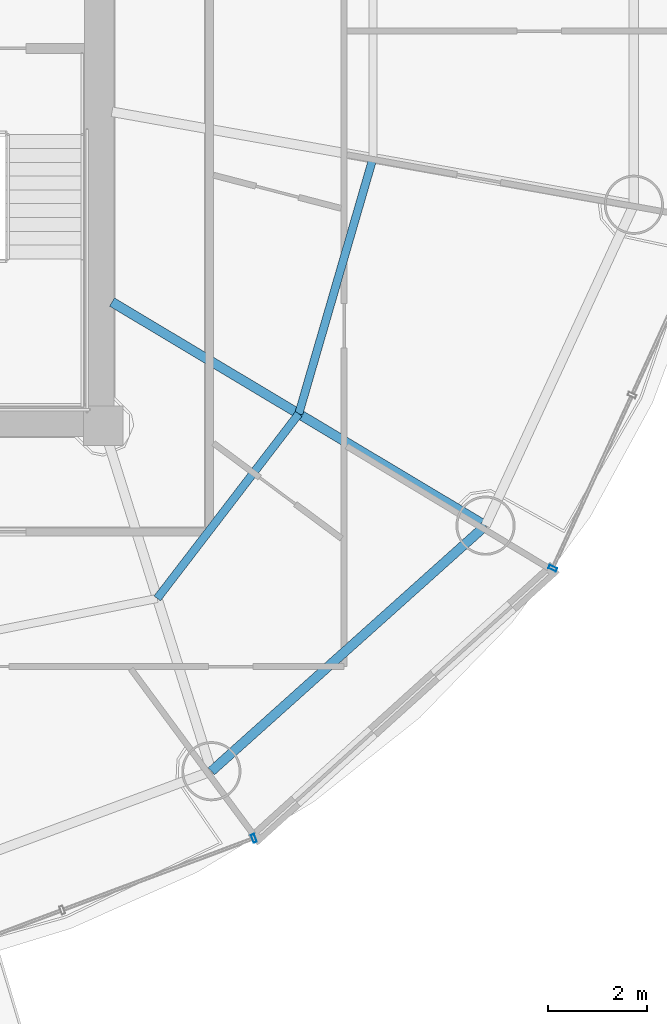
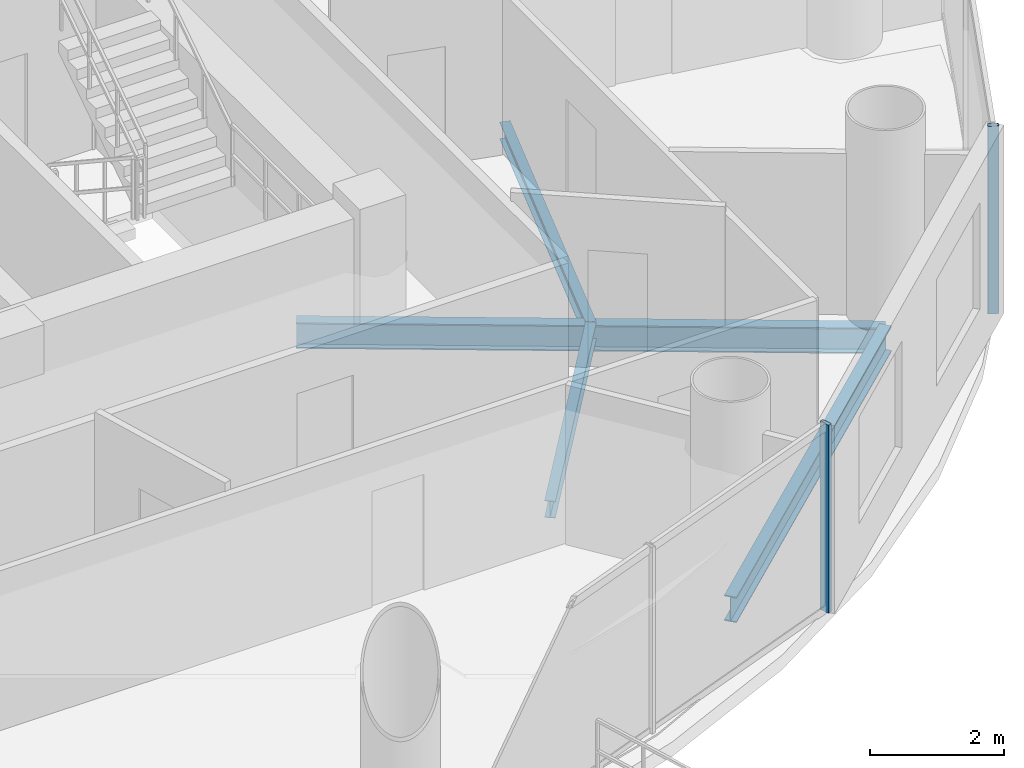
# One storey, part 11 of 26: 4 beams, 2 members, 2 elements without a shape of their own.
"""IFC4 building model written with IfcOpenShell, lengths in metres."""

from ifc_helpers import new_model, si_unit, direction, frame, origin, origin_2d, place, context, subcontext, project, spatial, hollow_rectangle, i_section, extrude, source, transform, mapped, material, material_profile, profile_set, type_object, element, aggregate, save


model = new_model("IFC4")

# Units and contexts
model_context = context("Model", 3, precision=1e-05, world=origin(), true_north=direction((-0.2419218956, 0.970295726276)))
body_context = subcontext(model_context, "Body", "Model", "MODEL_VIEW")
ifc_project = project(units=[si_unit("LENGTHUNIT", "METRE"), si_unit("AREAUNIT", "SQUARE_METRE"), si_unit("VOLUMEUNIT", "CUBIC_METRE"), si_unit("PLANEANGLEUNIT", "RADIAN"), si_unit("MASSUNIT", "GRAM", prefix="KILO")], contexts=[model_context])

# Site, building, storey
site_placement = place(None, origin())
site = spatial("IfcSite", under=ifc_project, at=site_placement, CompositionType="ELEMENT")
building_placement = place(site_placement, origin())
building = spatial("IfcBuilding", under=site, at=building_placement, Name="Cobrevalo Terracotta Tower", CompositionType="ELEMENT")
storey_placement = place(building_placement, frame((0.0, 0.0, 228.199951171875)))
storey = spatial("IfcBuildingStorey", under=building, at=storey_placement, Name="L60", CompositionType="ELEMENT", Elevation=228.199951171875)

# Beams
ifc_material_1 = material(Name="Steel S355", Category="steel")
ifc_material_profile_1 = material_profile(ifc_material_1, i_section(OverallWidth=0.194091796875, OverallDepth=0.468994140625, WebThickness=0.011474609375, FlangeThickness=0.0205078125, at=origin_2d()), Name="W 460x106")
ifc_profile_set_1 = profile_set([ifc_material_profile_1], Name="Steel S355")
beam_type_1 = type_object("IfcBeamType", Name="Structural Beam W 460x106 (Steel S355)", PredefinedType="BEAM", material=ifc_profile_set_1)
beam_1_placement = place(storey_placement, frame((54.754150390625, 16.77197265625, -0.49951171875), z_axis=(-0.858046392192, 0.513572184651, 0.0), x_axis=(-0.513572184651, -0.858046392192, 0.0)))
element("IfcBeam", 1, at=beam_1_placement, inside=storey, type_object=beam_type_1, Name="L60 radial floor girder 15", PredefinedType="BEAM", context=body_context, shape_type="SweptSolid", body=[
    extrude(i_section(OverallWidth=0.194091796875, OverallDepth=0.468994140625, WebThickness=0.011474609375, FlangeThickness=0.0205078125, at=origin_2d()), origin(), (0.0, 0.0, 1.0), 8.827392578125),
])
ifc_material_profile_2 = material_profile(ifc_material_1, i_section(OverallWidth=0.1650390625, OverallDepth=0.31005859375, WebThickness=0.005859375, FlangeThickness=0.009765625, at=origin_2d()), Name="W 310x38.7")
ifc_profile_set_2 = profile_set([ifc_material_profile_2], Name="Steel S355")
beam_type_2 = type_object("IfcBeamType", Name="Structural Joist W 310x38.7 (Steel S355)", PredefinedType="JOIST", material=ifc_profile_set_2)
beam_2_placement = place(storey_placement, frame((48.097412109375, 15.2958984375, -0.419921875), z_axis=(0.608464146296, 0.793581364872, 0.0), x_axis=(-0.793581364872, 0.608464146296, 0.0)))
element("IfcBeam", 2, at=beam_2_placement, inside=storey, type_object=beam_type_2, Name="L60 circumferential secondary floor joist 14", PredefinedType="JOIST", context=body_context, shape_type="SweptSolid", body=[
    extrude(i_section(OverallWidth=0.1650390625, OverallDepth=0.31005859375, WebThickness=0.005859375, FlangeThickness=0.009765625, at=origin_2d()), origin(), (0.0, 0.0, 1.0), 4.716064453125),
])
beam_3_placement = place(storey_placement, frame((50.967041015625, 19.03857421875, -0.419921875), z_axis=(0.278757705995, 0.960361463902, 0.0), x_axis=(-0.960361463902, 0.278757705995, 0.0)))
element("IfcBeam", 3, at=beam_3_placement, inside=storey, type_object=beam_type_2, Name="L60 circumferential secondary floor joist 15", PredefinedType="JOIST", context=body_context, shape_type="SweptSolid", body=[
    extrude(i_section(OverallWidth=0.1650390625, OverallDepth=0.31005859375, WebThickness=0.005859375, FlangeThickness=0.009765625, at=origin_2d()), origin(), (0.0, 0.0, 1.0), 5.396728515625),
])
ifc_material_profile_3 = material_profile(ifc_material_1, i_section(OverallWidth=0.194091796875, OverallDepth=0.468994140625, WebThickness=0.011474609375, FlangeThickness=0.0205078125, at=origin_2d()), Name="W 460x106")
ifc_profile_set_3 = profile_set([ifc_material_profile_3], Name="Steel S355")
beam_type_3 = type_object("IfcBeamType", Name="Structural Spandrel W 460x106 (Steel S355)", PredefinedType="SPANDREL", material=ifc_profile_set_3)
beam_4_placement = place(storey_placement, frame((49.19482421875, 11.7919921875, -0.49951171875), z_axis=(0.744851930997, 0.667229796165, 0.0), x_axis=(-0.667229796165, 0.744851930997, 0.0)))
element("IfcBeam", 4, at=beam_4_placement, inside=storey, type_object=beam_type_3, Name="L60 perimeter ring spandrel 14", PredefinedType="SPANDREL", context=body_context, shape_type="SweptSolid", body=[
    extrude(i_section(OverallWidth=0.194091796875, OverallDepth=0.468994140625, WebThickness=0.011474609375, FlangeThickness=0.0205078125, at=origin_2d()), origin(), (0.0, 0.0, 1.0), 7.463623046875),
])

# Curtain wall, member
ifc_material_2 = material(Name="Anodized aluminium", Category="aluminium")
curtain_wall_type = type_object("IfcCurtainWallType", Name="Mid-tower high-wind unitised curtain wall CW-U2", PredefinedType="NOTDEFINED", material=ifc_material_2)
curtain_wall_1_placement = place(storey_placement, origin())
curtain_wall_1 = element("IfcCurtainWall", 5, at=curtain_wall_1_placement, inside=storey, type_object=curtain_wall_type, Name="L60 curtain wall CW-L60-S13", PredefinedType="NOTDEFINED")
ifc_material_profile_4 = material_profile(ifc_material_2, hollow_rectangle(XDim=0.070068359375, YDim=0.169921875, WallThickness=0.00439453125, at=origin_2d()), Name="CWM 70x170")
ifc_profile_set_4 = profile_set([ifc_material_profile_4], Name="Anodized aluminium")
member_type = type_object("IfcMemberType", Name="Upper tower unitised mullion 70x170", PredefinedType="MULLION", material=ifc_profile_set_4)
shared_shape = source(origin(), body_context, "Body", "SweptSolid", [
    extrude(hollow_rectangle(XDim=0.070068359375, YDim=0.169921875, WallThickness=0.00439453125, at=origin_2d()), origin(), (0.0, 0.0, 1.0), 3.43505859375),
])
member_1_placement = place(storey_placement, frame((50.057373046875, 10.430908203125, 0.0), z_axis=(0.0, 0.0, 1.0), x_axis=(0.936556004584, 0.350517974259, 0.0)))
member_1 = element("IfcMember", 6, at=member_1_placement, type_object=member_type, Name="CW-L60-S13 vertical mullion 03", PredefinedType="MULLION", context=body_context, shape_type="MappedRepresentation", body=[
    mapped(shared_shape, transform((0.0, 0.0, 0.0), scale=1.0)),
])
aggregate(curtain_wall_1, [member_1])

curtain_wall_2_placement = place(storey_placement, origin())
curtain_wall_2 = element("IfcCurtainWall", 7, at=curtain_wall_2_placement, inside=storey, type_object=curtain_wall_type, Name="L60 curtain wall CW-L60-S15", PredefinedType="NOTDEFINED")
member_2_placement = place(storey_placement, frame((56.11767578125, 15.908203125, 0.0), z_axis=(0.0, 0.0, 1.0), x_axis=(0.41672507912, 0.909032567311, 0.0)))
member_2 = element("IfcMember", 8, at=member_2_placement, type_object=member_type, Name="CW-L60-S15 vertical mullion 01", PredefinedType="MULLION", context=body_context, shape_type="MappedRepresentation", body=[
    mapped(shared_shape, transform((0.0, 0.0, 0.0), scale=1.0)),
])
aggregate(curtain_wall_2, [member_2])

save(model, "model.ifc")
